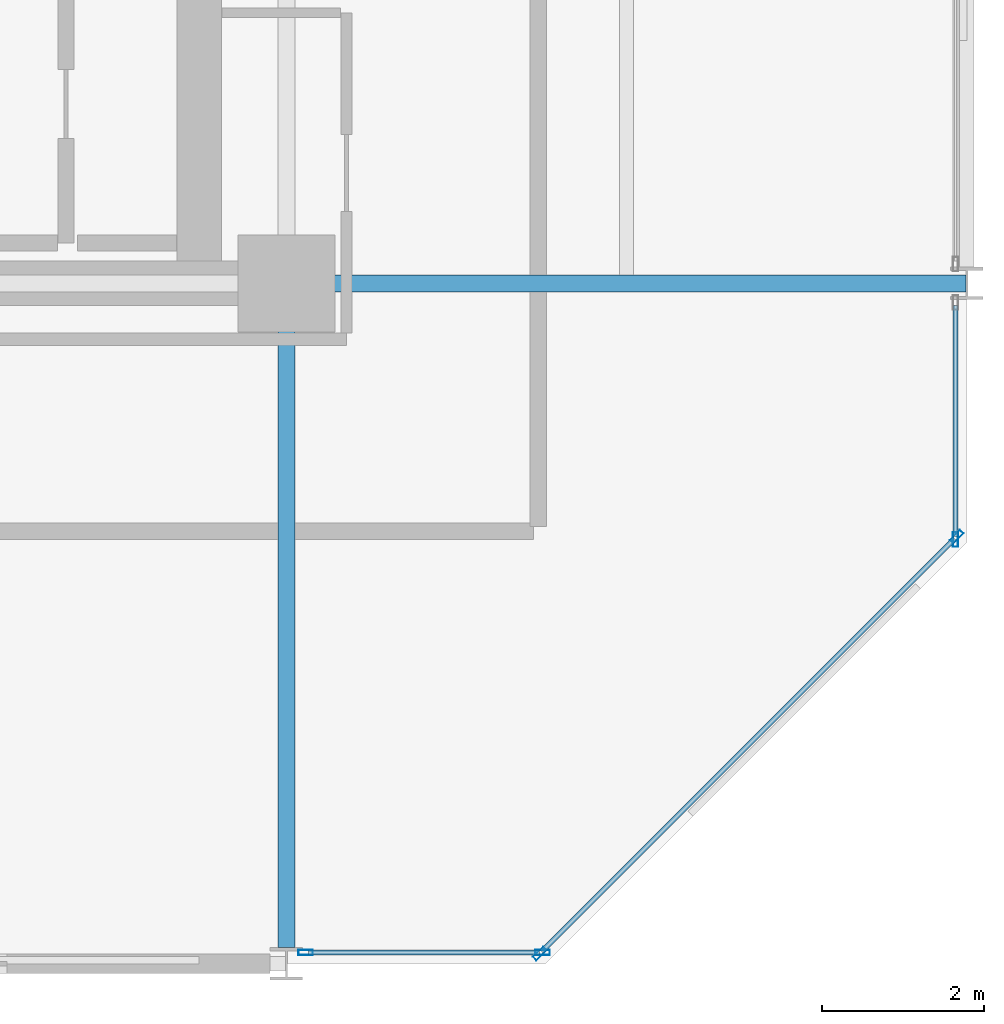
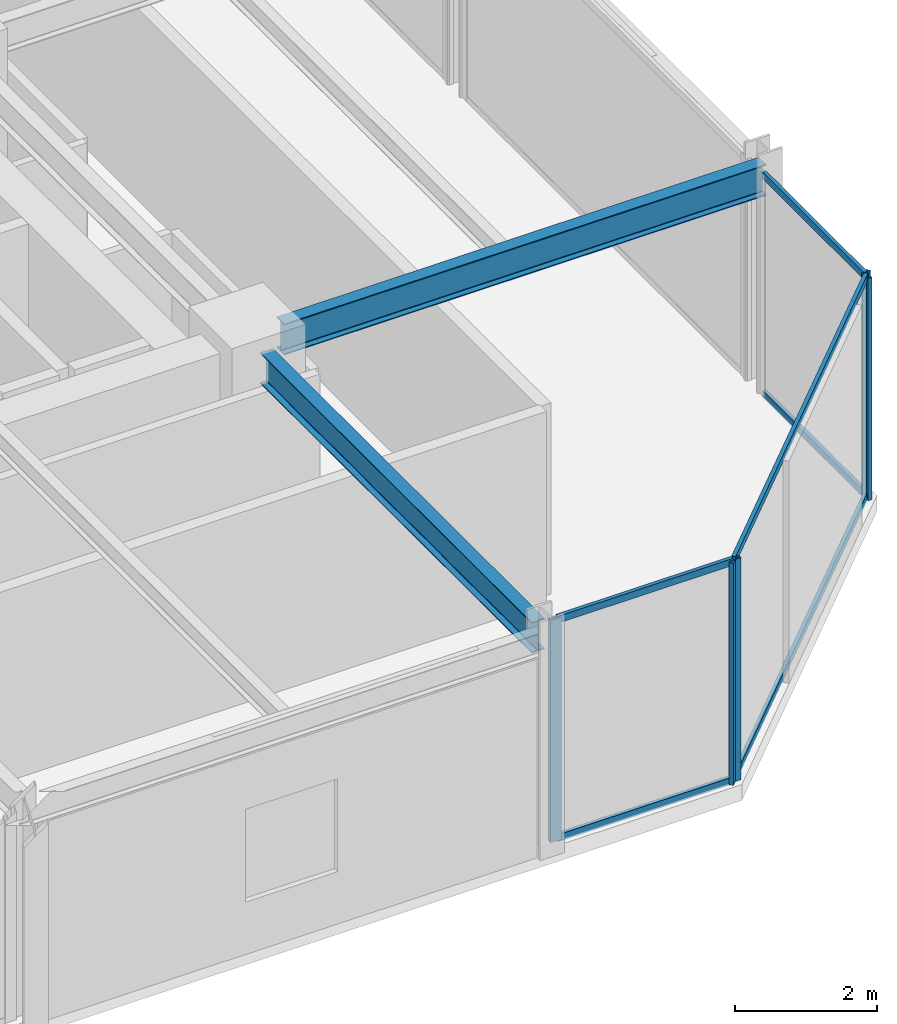
# One storey, part 13 of 29: 11 members, 2 beams, 3 elements without a shape of their own.
"""IFC4 building model written with IfcOpenShell, lengths in metres."""

from ifc_helpers import new_model, si_unit, direction, frame, origin, origin_2d, place, context, subcontext, project, spatial, hollow_rectangle, i_section, extrude, material, layer, layer_set, material_profile, profile_set, type_object, element, aggregate, save


model = new_model("IFC4")

# Units and contexts
model_context = context("Model", 3, precision=1e-05, world=origin(), true_north=direction((0.0, 1.0)))
body_context = subcontext(model_context, "Body", "Model", "MODEL_VIEW")
ifc_project = project(units=[si_unit("LENGTHUNIT", "METRE"), si_unit("AREAUNIT", "SQUARE_METRE"), si_unit("VOLUMEUNIT", "CUBIC_METRE"), si_unit("PLANEANGLEUNIT", "RADIAN"), si_unit("MASSUNIT", "GRAM", prefix="KILO")], contexts=[model_context])

# Site, building, storey
site_placement = place(None, origin())
site = spatial("IfcSite", under=ifc_project, at=site_placement, CompositionType="ELEMENT")
building_placement = place(site_placement, origin())
building = spatial("IfcBuilding", under=site, at=building_placement, Name="Nerrivon Quay Data Exchange", CompositionType="ELEMENT")
storey_placement = place(building_placement, frame((0.0, 0.0, 133.60009765625)))
storey = spatial("IfcBuildingStorey", under=building, at=storey_placement, Name="L31", CompositionType="ELEMENT", Elevation=133.60009765625)

# Beams
ifc_material_1 = material(Name="Steel Grade 350", Category="steel")
ifc_material_profile_1 = material_profile(ifc_material_1, i_section(OverallWidth=0.208984375, OverallDepth=0.532958984375, WebThickness=0.01025390625, FlangeThickness=0.015625, FilletRadius=0.013916015625, at=origin_2d()), Name="530UB92.4")
ifc_profile_set_1 = profile_set([ifc_material_profile_1], Name="Steel Grade 350")
beam_type_1 = type_object("IfcBeamType", Name="BM-G3-530UB92", PredefinedType="BEAM", material=ifc_profile_set_1)
beam_1_placement = place(storey_placement, frame((34.139892578125, 8.39990234375, 3.558349609375), z_axis=(1.0, 0.0, 0.0), x_axis=(0.0, 1.0, 0.0)))
element("IfcBeam", 1, at=beam_1_placement, inside=storey, type_object=beam_type_1, Name="L31 EW Girder Y=8.4 (33.6..42.0)", PredefinedType="BEAM", context=body_context, shape_type="SweptSolid", body=[
    extrude(i_section(OverallWidth=0.208984375, OverallDepth=0.532958984375, WebThickness=0.01025390625, FlangeThickness=0.015625, FilletRadius=0.013916015625, at=origin_2d()), origin(), (0.0, 0.0, 1.0), 7.84765625),
])
ifc_material_profile_2 = material_profile(ifc_material_1, i_section(OverallWidth=0.208984375, OverallDepth=0.528076171875, WebThickness=0.009521484375, FlangeThickness=0.01318359375, FilletRadius=0.013916015625, at=origin_2d()), Name="530UB82.0")
ifc_profile_set_2 = profile_set([ifc_material_profile_2], Name="Steel Grade 350")
beam_type_2 = type_object("IfcBeamType", Name="BM-G4-530UB82", PredefinedType="BEAM", material=ifc_profile_set_2)
beam_2_placement = place(storey_placement, frame((33.60009765625, 0.199951171875, 3.560791015625), z_axis=(0.0, 1.0, 0.0), x_axis=(-1.0, 0.0, 0.0)))
element("IfcBeam", 2, at=beam_2_placement, inside=storey, type_object=beam_type_2, Name="L31 NS Girder X=33.6 (0.0..8.4)", PredefinedType="BEAM", context=body_context, shape_type="SweptSolid", body=[
    extrude(i_section(OverallWidth=0.208984375, OverallDepth=0.528076171875, WebThickness=0.009521484375, FlangeThickness=0.01318359375, FilletRadius=0.013916015625, at=origin_2d()), origin(), (0.0, 0.0, 1.0), 7.66015625),
])

# Curtain wall, members
ifc_material_2 = material(Name="Anodised aluminium 6063-T6", Category="aluminium")
ifc_layer = layer(ifc_material_2, 0.2099609375)
ifc_layer_set = layer_set([ifc_layer], Name="Anodised aluminium 6063-T6")
curtain_wall_type = type_object("IfcCurtainWallType", Name="CW-SYS-02", PredefinedType="NOTDEFINED", material=ifc_layer_set)
curtain_wall_1_placement = place(storey_placement, origin())
curtain_wall_1 = element("IfcCurtainWall", 3, at=curtain_wall_1_placement, inside=storey, type_object=curtain_wall_type, Name="L31 Unitised Curtain Wall 1", PredefinedType="NOTDEFINED")
ifc_material_profile_3 = material_profile(ifc_material_2, hollow_rectangle(XDim=0.06494140625, YDim=0.179931640625, WallThickness=0.00341796875, at=origin_2d()), Name="ALU-MULL-180x65")
ifc_profile_set_3 = profile_set([ifc_material_profile_3], Name="Anodised aluminium 6063-T6")
member_type_1 = type_object("IfcMemberType", Name="CWM-180x65", PredefinedType="MULLION", material=ifc_profile_set_3)
member_1_placement = place(storey_placement, frame((41.87451171875, 5.2724609375, 0.0), z_axis=(0.0, 0.0, 1.0), x_axis=(0.707106781187, -0.707106781187, 0.0)))
member_1 = element("IfcMember", 4, at=member_1_placement, type_object=member_type_1, Name="CW02 mullion 1", PredefinedType="MULLION", context=body_context, shape_type="SweptSolid", body=[
    extrude(hollow_rectangle(XDim=0.06494140625, YDim=0.179931640625, WallThickness=0.00341796875, at=origin_2d()), origin(), (0.0, 0.0, 1.0), 3.824951171875),
])
member_2_placement = place(storey_placement, frame((36.7275390625, 0.12548828125, 0.0), z_axis=(0.0, 0.0, 1.0), x_axis=(0.707106781187, -0.707106781187, 0.0)))
member_2 = element("IfcMember", 5, at=member_2_placement, type_object=member_type_1, Name="CW02 mullion 2", PredefinedType="MULLION", context=body_context, shape_type="SweptSolid", body=[
    extrude(hollow_rectangle(XDim=0.06494140625, YDim=0.179931640625, WallThickness=0.00341796875, at=origin_2d()), origin(), (0.0, 0.0, 1.0), 3.824951171875),
])

curtain_wall_2_placement = place(storey_placement, origin())
curtain_wall_2 = element("IfcCurtainWall", 6, at=curtain_wall_2_placement, inside=storey, type_object=curtain_wall_type, Name="L31 Unitised Curtain Wall 2", PredefinedType="NOTDEFINED")
member_3_placement = place(storey_placement, frame((36.762451171875, 0.139892578125, 0.0), z_axis=(0.0, 0.0, 1.0), x_axis=(0.0, -1.0, 0.0)))
member_3 = element("IfcMember", 7, at=member_3_placement, type_object=member_type_1, Name="CW02 mullion 1", PredefinedType="MULLION", context=body_context, shape_type="SweptSolid", body=[
    extrude(hollow_rectangle(XDim=0.06494140625, YDim=0.179931640625, WallThickness=0.00341796875, at=origin_2d()), origin(), (0.0, 0.0, 1.0), 3.824951171875),
])
member_4_placement = place(storey_placement, frame((33.83740234375, 0.139892578125, 0.0), z_axis=(0.0, 0.0, 1.0), x_axis=(0.0, -1.0, 0.0)))
member_4 = element("IfcMember", 8, at=member_4_placement, type_object=member_type_1, Name="CW02 mullion 2", PredefinedType="MULLION", context=body_context, shape_type="SweptSolid", body=[
    extrude(hollow_rectangle(XDim=0.06494140625, YDim=0.179931640625, WallThickness=0.00341796875, at=origin_2d()), origin(), (0.0, 0.0, 1.0), 3.824951171875),
])

# Curtain wall, member
curtain_wall_3_placement = place(storey_placement, origin())
curtain_wall_3 = element("IfcCurtainWall", 9, at=curtain_wall_3_placement, inside=storey, type_object=curtain_wall_type, Name="L31 Unitised Curtain Wall 30", PredefinedType="NOTDEFINED")
member_5_placement = place(storey_placement, frame((41.860107421875, 5.237548828125, 0.0), z_axis=(0.0, 0.0, 1.0), x_axis=(1.0, 0.0, 0.0)))
member_5 = element("IfcMember", 10, at=member_5_placement, type_object=member_type_1, Name="CW02 mullion 2", PredefinedType="MULLION", context=body_context, shape_type="SweptSolid", body=[
    extrude(hollow_rectangle(XDim=0.06494140625, YDim=0.179931640625, WallThickness=0.00341796875, at=origin_2d()), origin(), (0.0, 0.0, 1.0), 3.824951171875),
])

# Member
ifc_material_profile_4 = material_profile(ifc_material_2, hollow_rectangle(XDim=0.06005859375, YDim=0.1201171875, WallThickness=0.003173828125, at=origin_2d()), Name="ALU-TRAN-120x60")
ifc_profile_set_4 = profile_set([ifc_material_profile_4], Name="Anodised aluminium 6063-T6")
member_type_2 = type_object("IfcMemberType", Name="CWT-120x60", PredefinedType="USERDEFINED", material=ifc_profile_set_4)
member_6_placement = place(storey_placement, frame((41.847900390625, 5.245849609375, 0.032470703125), z_axis=(-0.707106781187, -0.707106781187, 0.0), x_axis=(0.707106781187, -0.707106781187, 0.0)))
member_6 = element("IfcMember", 11, at=member_6_placement, type_object=member_type_2, Name="CW02 transom 1.1", ObjectType="TRANSOM", PredefinedType="USERDEFINED", context=body_context, shape_type="SweptSolid", body=[
    extrude(hollow_rectangle(XDim=0.06005859375, YDim=0.1201171875, WallThickness=0.003173828125, at=origin_2d()), origin(), (0.0, 0.0, 1.0), 7.20361328125),
])

member_7_placement = place(storey_placement, frame((41.847900390625, 5.245849609375, 3.79248046875), z_axis=(-0.707106781187, -0.707106781187, 0.0), x_axis=(0.707106781187, -0.707106781187, 0.0)))
member_7 = element("IfcMember", 12, at=member_7_placement, type_object=member_type_2, Name="CW02 transom 1.2", ObjectType="TRANSOM", PredefinedType="USERDEFINED", context=body_context, shape_type="SweptSolid", body=[
    extrude(hollow_rectangle(XDim=0.06005859375, YDim=0.1201171875, WallThickness=0.003173828125, at=origin_2d()), origin(), (0.0, 0.0, 1.0), 7.20361328125),
])

aggregate(curtain_wall_1, [member_1, member_2, member_6, member_7])

member_8_placement = place(storey_placement, frame((36.72509765625, 0.139892578125, 0.032470703125), z_axis=(-1.0, 0.0, 0.0), x_axis=(0.0, -1.0, 0.0)))
member_8 = element("IfcMember", 13, at=member_8_placement, type_object=member_type_2, Name="CW02 transom 1.1", ObjectType="TRANSOM", PredefinedType="USERDEFINED", context=body_context, shape_type="SweptSolid", body=[
    extrude(hollow_rectangle(XDim=0.06005859375, YDim=0.1201171875, WallThickness=0.003173828125, at=origin_2d()), origin(), (0.0, 0.0, 1.0), 2.85009765625),
])

member_9_placement = place(storey_placement, frame((36.72509765625, 0.139892578125, 3.79248046875), z_axis=(-1.0, 0.0, 0.0), x_axis=(0.0, -1.0, 0.0)))
member_9 = element("IfcMember", 14, at=member_9_placement, type_object=member_type_2, Name="CW02 transom 1.2", ObjectType="TRANSOM", PredefinedType="USERDEFINED", context=body_context, shape_type="SweptSolid", body=[
    extrude(hollow_rectangle(XDim=0.06005859375, YDim=0.1201171875, WallThickness=0.003173828125, at=origin_2d()), origin(), (0.0, 0.0, 1.0), 2.85009765625),
])

aggregate(curtain_wall_2, [member_3, member_4, member_8, member_9])

member_10_placement = place(storey_placement, frame((41.860107421875, 8.125, 0.032470703125), z_axis=(0.0, -1.0, 0.0), x_axis=(1.0, 0.0, 0.0)))
member_10 = element("IfcMember", 15, at=member_10_placement, type_object=member_type_2, Name="CW02 transom 1.1", ObjectType="TRANSOM", PredefinedType="USERDEFINED", context=body_context, shape_type="SweptSolid", body=[
    extrude(hollow_rectangle(XDim=0.06005859375, YDim=0.1201171875, WallThickness=0.003173828125, at=origin_2d()), origin(), (0.0, 0.0, 1.0), 2.85009765625),
])

member_11_placement = place(storey_placement, frame((41.860107421875, 8.125, 3.79248046875), z_axis=(0.0, -1.0, 0.0), x_axis=(1.0, 0.0, 0.0)))
member_11 = element("IfcMember", 16, at=member_11_placement, type_object=member_type_2, Name="CW02 transom 1.2", ObjectType="TRANSOM", PredefinedType="USERDEFINED", context=body_context, shape_type="SweptSolid", body=[
    extrude(hollow_rectangle(XDim=0.06005859375, YDim=0.1201171875, WallThickness=0.003173828125, at=origin_2d()), origin(), (0.0, 0.0, 1.0), 2.85009765625),
])

aggregate(curtain_wall_3, [member_5, member_10, member_11])

save(model, "model.ifc")
